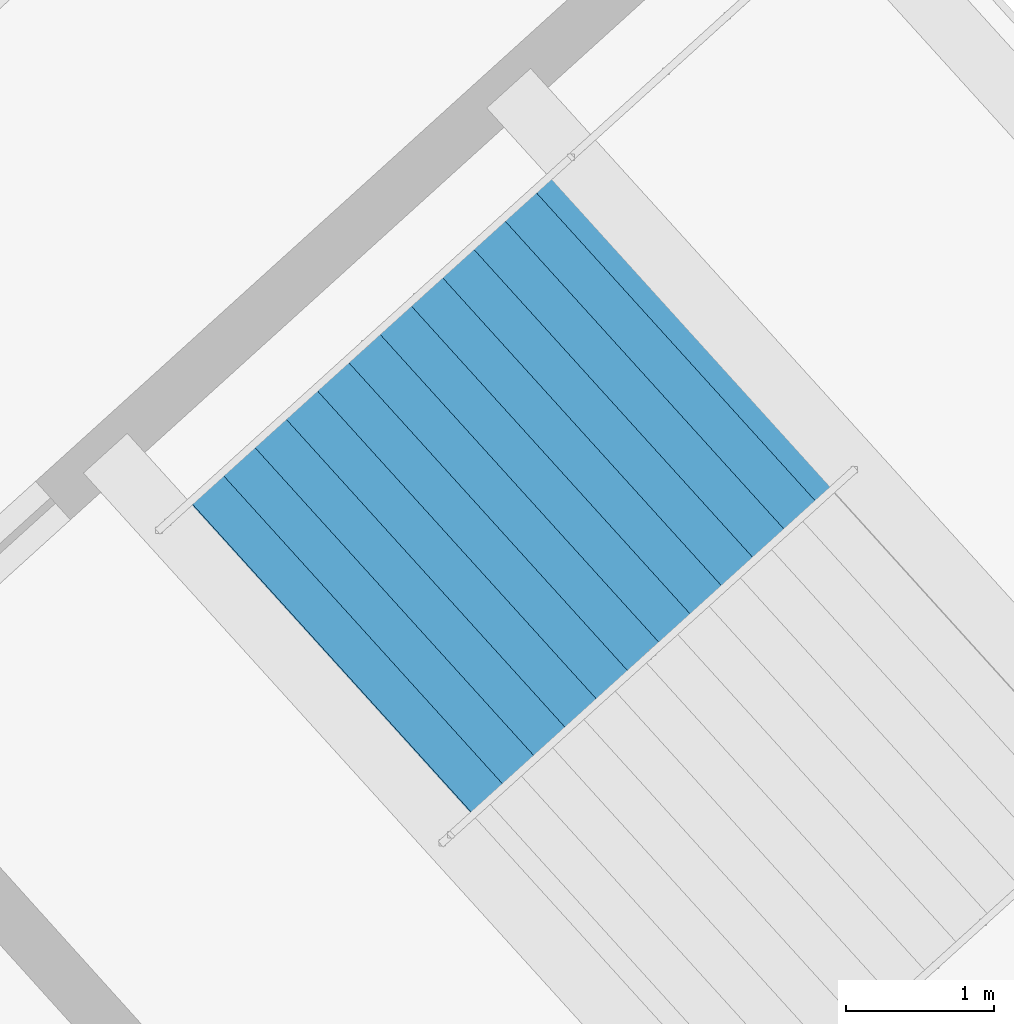
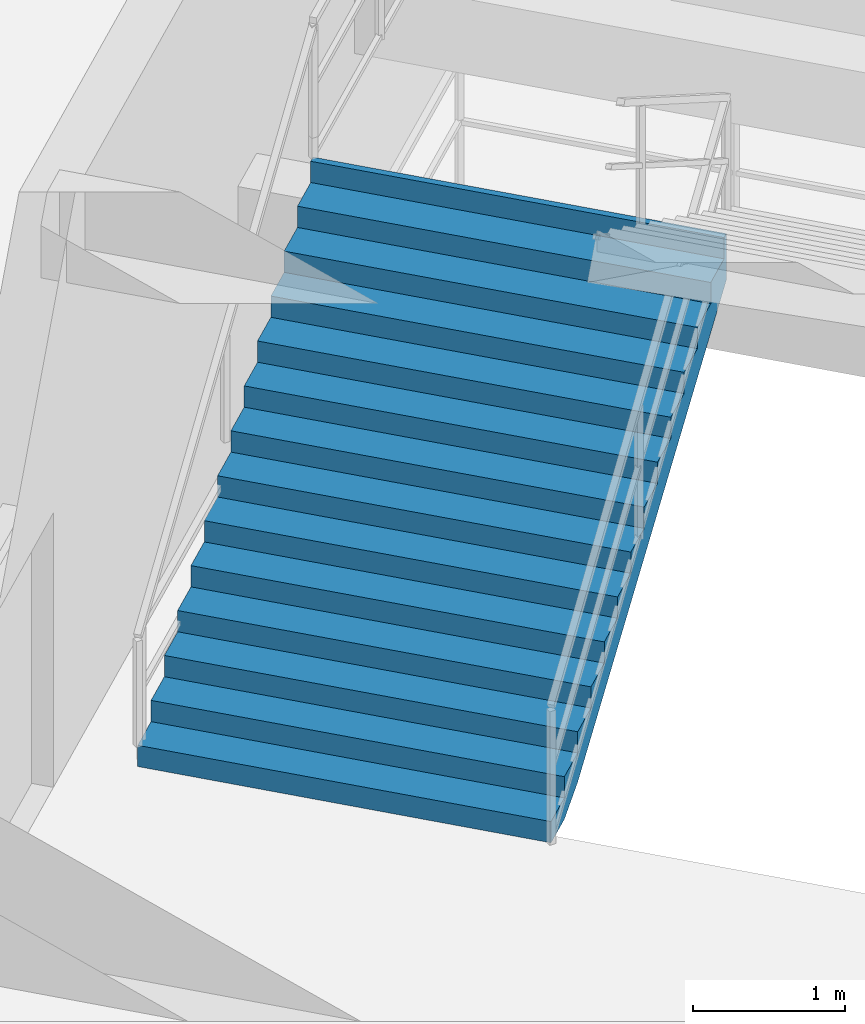
# One storey, part 149 of 171: 1 stair flight, 1 element without a shape of its own.
"""IFC4 building model written with IfcOpenShell, lengths in metres."""

from ifc_helpers import new_model, si_unit, direction, frame, origin, place, context, subcontext, project, spatial, polygons, material, type_object, element, aggregate, save


model = new_model("IFC4")

# Units and contexts
model_context = context("Model", 3, precision=1e-05, world=origin(), true_north=direction((0.0, 1.0)))
body_context = subcontext(model_context, "Body", "Model", "MODEL_VIEW")
ifc_project = project(units=[si_unit("LENGTHUNIT", "METRE"), si_unit("AREAUNIT", "SQUARE_METRE"), si_unit("VOLUMEUNIT", "CUBIC_METRE"), si_unit("PLANEANGLEUNIT", "RADIAN"), si_unit("MASSUNIT", "GRAM", prefix="KILO")], contexts=[model_context])

# Site, building, storey
site_placement = place(None, origin())
site = spatial("IfcSite", under=ifc_project, at=site_placement, CompositionType="ELEMENT")
building_placement = place(site_placement, origin())
building = spatial("IfcBuilding", under=site, at=building_placement, Name="Kazemori Nagisa Stadium", CompositionType="ELEMENT")
storey_placement = place(building_placement, frame((0.0, 0.0, 15.639892578125)))
storey = spatial("IfcBuildingStorey", under=building, at=storey_placement, Name="L03", CompositionType="ELEMENT", Elevation=15.639892578125)

# Stair, stair flight
ifc_material = material(Name="Concrete C36/45 (Fc36)", Category="concrete")
stair_type = type_object("IfcStairType", Name="Stair_CORE_28", PredefinedType="TWO_STRAIGHT_RUN_STAIR", material=ifc_material)
stair_placement = place(storey_placement, origin())
stair = element("IfcStair", 1, at=stair_placement, inside=storey, type_object=stair_type, Name="Exit stair ST04 L03", PredefinedType="TWO_STRAIGHT_RUN_STAIR")
stair_flight_type = type_object("IfcStairFlightType", Name="Flight_CORE_14", PredefinedType="STRAIGHT", material=ifc_material)
stair_flight_placement = place(storey_placement, frame((182.77587890625, 39.410400390625, 0.0), z_axis=(0.0, 0.0, 1.0), x_axis=(0.741324991793, 0.671146225903, 0.0)))
stair_flight = element("IfcStairFlight", 2, at=stair_flight_placement, type_object=stair_flight_type, Name="Exit stair ST04 L03 flight 1", NumberOfRisers=14, NumberOfTreads=13, PredefinedType="STRAIGHT", RiserHeight=0.17, TreadLength=0.285, context=body_context, shape_type="Tessellation", body=[
    polygons([(0.0, -1.425048828125, 0.0), (0.0, -1.425048828125, 0.169921875), (0.284912109375, -1.425048828125, 0.169921875), (0.284912109375, -1.425048828125, 0.340087890625), (0.570068359375, -1.425048828125, 0.340087890625), (0.570068359375, -1.425048828125, 0.510009765625), (0.85498046875, -1.425048828125, 0.510009765625), (0.85498046875, -1.425048828125, 0.679931640625), (1.139892578125, -1.425048828125, 0.679931640625), (1.139892578125, -1.425048828125, 0.85009765625), (1.425048828125, -1.425048828125, 0.85009765625), (1.425048828125, -1.425048828125, 1.02001953125), (1.7099609375, -1.425048828125, 1.02001953125), (1.7099609375, -1.425048828125, 1.18994140625), (1.9951171875, -1.425048828125, 1.18994140625), (1.9951171875, -1.425048828125, 1.360107421875), (2.280029296875, -1.425048828125, 1.360107421875), (2.280029296875, -1.425048828125, 1.530029296875), (2.56494140625, -1.425048828125, 1.530029296875), (2.56494140625, -1.425048828125, 1.699951171875), (2.85009765625, -1.425048828125, 1.699951171875), (2.85009765625, -1.425048828125, 1.8701171875), (3.135009765625, -1.425048828125, 1.8701171875), (3.135009765625, -1.425048828125, 2.0400390625), (3.419921875, -1.425048828125, 2.0400390625), (3.419921875, -1.425048828125, 2.2099609375), (3.705078125, -1.425048828125, 2.2099609375), (3.705078125, -1.425048828125, 2.3798828125), (3.7548828125, -1.425048828125, 2.3798828125), (3.7548828125, -1.425048828125, 2.007080078125), (3.705078125, -1.425048828125, 1.977294921875), (3.419921875, -1.425048828125, 1.80712890625), (3.135009765625, -1.425048828125, 1.63720703125), (2.85009765625, -1.425048828125, 1.46728515625), (2.56494140625, -1.425048828125, 1.297119140625), (2.280029296875, -1.425048828125, 1.127197265625), (1.9951171875, -1.425048828125, 0.957275390625), (1.7099609375, -1.425048828125, 0.787109375), (1.425048828125, -1.425048828125, 0.6171875), (1.139892578125, -1.425048828125, 0.447265625), (0.85498046875, -1.425048828125, 0.277099609375), (0.570068359375, -1.425048828125, 0.107177734375), (0.284912109375, -1.425048828125, 0.0), (0.0, -0.08544921875, 0.0), (0.0, -0.08544921875, 0.169921875), (0.284912109375, -0.08544921875, 0.169921875), (0.284912109375, -0.08544921875, 0.340087890625), (0.570068359375, -0.08544921875, 0.340087890625), (0.570068359375, -0.08544921875, 0.510009765625), (0.85498046875, -0.08544921875, 0.510009765625), (0.85498046875, -0.08544921875, 0.679931640625), (1.139892578125, -0.08544921875, 0.679931640625), (1.139892578125, -0.08544921875, 0.85009765625), (1.425048828125, -0.08544921875, 0.85009765625), (1.425048828125, -0.08544921875, 1.02001953125), (1.7099609375, -0.08544921875, 1.02001953125), (1.7099609375, -0.08544921875, 1.18994140625), (1.9951171875, -0.08544921875, 1.18994140625), (1.9951171875, -0.08544921875, 1.360107421875), (2.280029296875, -0.08544921875, 1.360107421875), (2.280029296875, -0.08544921875, 1.530029296875), (2.56494140625, -0.08544921875, 1.530029296875), (2.56494140625, -0.08544921875, 1.699951171875), (2.85009765625, -0.08544921875, 1.699951171875), (2.85009765625, -0.08544921875, 1.8701171875), (3.135009765625, -0.08544921875, 1.8701171875), (3.135009765625, -0.08544921875, 2.0400390625), (3.419921875, -0.08544921875, 2.0400390625), (3.419921875, -0.08544921875, 2.2099609375), (3.705078125, -0.08544921875, 2.2099609375), (3.705078125, -0.08544921875, 2.3798828125), (3.7548828125, -0.08544921875, 2.3798828125), (3.7548828125, -0.08544921875, 2.007080078125), (3.705078125, -0.08544921875, 1.977294921875), (3.419921875, -0.08544921875, 1.80712890625), (3.135009765625, -0.08544921875, 1.63720703125), (2.85009765625, -0.08544921875, 1.46728515625), (2.56494140625, -0.08544921875, 1.297119140625), (2.280029296875, -0.08544921875, 1.127197265625), (1.9951171875, -0.08544921875, 0.957275390625), (1.7099609375, -0.08544921875, 0.787109375), (1.425048828125, -0.08544921875, 0.6171875), (1.139892578125, -0.08544921875, 0.447265625), (0.85498046875, -0.08544921875, 0.277099609375), (0.570068359375, -0.08544921875, 0.107177734375), (0.284912109375, -0.08544921875, 0.0), (0.0, 0.0, 0.0), (0.0, 0.0, 0.169921875), (0.284912109375, 0.0, 0.169921875), (0.284912109375, 0.0, 0.340087890625), (0.570068359375, 0.0, 0.340087890625), (0.570068359375, 0.0, 0.510009765625), (0.85498046875, 0.0, 0.510009765625), (0.85498046875, 0.0, 0.679931640625), (1.139892578125, 0.0, 0.679931640625), (1.139892578125, 0.0, 0.85009765625), (1.425048828125, 0.0, 0.85009765625), (1.425048828125, 0.0, 1.02001953125), (1.7099609375, 0.0, 1.02001953125), (1.7099609375, 0.0, 1.18994140625), (1.9951171875, 0.0, 1.18994140625), (1.9951171875, 0.0, 1.360107421875), (2.280029296875, 0.0, 1.360107421875), (2.280029296875, 0.0, 1.530029296875), (2.56494140625, 0.0, 1.530029296875), (2.56494140625, 0.0, 1.699951171875), (2.85009765625, 0.0, 1.699951171875), (2.85009765625, 0.0, 1.8701171875), (3.135009765625, 0.0, 1.8701171875), (3.135009765625, 0.0, 2.0400390625), (3.419921875, 0.0, 2.0400390625), (3.419921875, 0.0, 2.2099609375), (3.705078125, 0.0, 2.2099609375), (3.705078125, 0.0, 2.3798828125), (3.7548828125, 0.0, 2.3798828125), (3.7548828125, 0.0, 2.007080078125), (3.705078125, 0.0, 1.977294921875), (3.419921875, 0.0, 1.80712890625), (3.135009765625, 0.0, 1.63720703125), (2.85009765625, 0.0, 1.46728515625), (2.56494140625, 0.0, 1.297119140625), (2.280029296875, 0.0, 1.127197265625), (1.9951171875, 0.0, 0.957275390625), (1.7099609375, 0.0, 0.787109375), (1.425048828125, 0.0, 0.6171875), (1.139892578125, 0.0, 0.447265625), (0.85498046875, 0.0, 0.277099609375), (0.570068359375, 0.0, 0.107177734375), (0.284912109375, 0.0, 0.0), (0.0, 0.08544921875, 0.0), (0.0, 0.08544921875, 0.169921875), (0.284912109375, 0.08544921875, 0.169921875), (0.284912109375, 0.08544921875, 0.340087890625), (0.570068359375, 0.08544921875, 0.340087890625), (0.570068359375, 0.08544921875, 0.510009765625), (0.85498046875, 0.08544921875, 0.510009765625), (0.85498046875, 0.08544921875, 0.679931640625), (1.139892578125, 0.08544921875, 0.679931640625), (1.139892578125, 0.08544921875, 0.85009765625), (1.425048828125, 0.08544921875, 0.85009765625), (1.425048828125, 0.08544921875, 1.02001953125), (1.7099609375, 0.08544921875, 1.02001953125), (1.7099609375, 0.08544921875, 1.18994140625), (1.9951171875, 0.08544921875, 1.18994140625), (1.9951171875, 0.08544921875, 1.360107421875), (2.280029296875, 0.08544921875, 1.360107421875), (2.280029296875, 0.08544921875, 1.530029296875), (2.56494140625, 0.08544921875, 1.530029296875), (2.56494140625, 0.08544921875, 1.699951171875), (2.85009765625, 0.08544921875, 1.699951171875), (2.85009765625, 0.08544921875, 1.8701171875), (3.135009765625, 0.08544921875, 1.8701171875), (3.135009765625, 0.08544921875, 2.0400390625), (3.419921875, 0.08544921875, 2.0400390625), (3.419921875, 0.08544921875, 2.2099609375), (3.705078125, 0.08544921875, 2.2099609375), (3.705078125, 0.08544921875, 2.3798828125), (3.7548828125, 0.08544921875, 2.3798828125), (3.7548828125, 0.08544921875, 2.007080078125), (3.705078125, 0.08544921875, 1.977294921875), (3.419921875, 0.08544921875, 1.80712890625), (3.135009765625, 0.08544921875, 1.63720703125), (2.85009765625, 0.08544921875, 1.46728515625), (2.56494140625, 0.08544921875, 1.297119140625), (2.280029296875, 0.08544921875, 1.127197265625), (1.9951171875, 0.08544921875, 0.957275390625), (1.7099609375, 0.08544921875, 0.787109375), (1.425048828125, 0.08544921875, 0.6171875), (1.139892578125, 0.08544921875, 0.447265625), (0.85498046875, 0.08544921875, 0.277099609375), (0.570068359375, 0.08544921875, 0.107177734375), (0.284912109375, 0.08544921875, 0.0), (0.0, 1.425048828125, 0.0), (0.0, 1.425048828125, 0.169921875), (0.284912109375, 1.425048828125, 0.169921875), (0.284912109375, 1.425048828125, 0.340087890625), (0.570068359375, 1.425048828125, 0.340087890625), (0.570068359375, 1.425048828125, 0.510009765625), (0.85498046875, 1.425048828125, 0.510009765625), (0.85498046875, 1.425048828125, 0.679931640625), (1.139892578125, 1.425048828125, 0.679931640625), (1.139892578125, 1.425048828125, 0.85009765625), (1.425048828125, 1.425048828125, 0.85009765625), (1.425048828125, 1.425048828125, 1.02001953125), (1.7099609375, 1.425048828125, 1.02001953125), (1.7099609375, 1.425048828125, 1.18994140625), (1.9951171875, 1.425048828125, 1.18994140625), (1.9951171875, 1.425048828125, 1.360107421875), (2.280029296875, 1.425048828125, 1.360107421875), (2.280029296875, 1.425048828125, 1.530029296875), (2.56494140625, 1.425048828125, 1.530029296875), (2.56494140625, 1.425048828125, 1.699951171875), (2.85009765625, 1.425048828125, 1.699951171875), (2.85009765625, 1.425048828125, 1.8701171875), (3.135009765625, 1.425048828125, 1.8701171875), (3.135009765625, 1.425048828125, 2.0400390625), (3.419921875, 1.425048828125, 2.0400390625), (3.419921875, 1.425048828125, 2.2099609375), (3.705078125, 1.425048828125, 2.2099609375), (3.705078125, 1.425048828125, 2.3798828125), (3.7548828125, 1.425048828125, 2.3798828125), (3.7548828125, 1.425048828125, 2.007080078125), (3.705078125, 1.425048828125, 1.977294921875), (3.419921875, 1.425048828125, 1.80712890625), (3.135009765625, 1.425048828125, 1.63720703125), (2.85009765625, 1.425048828125, 1.46728515625), (2.56494140625, 1.425048828125, 1.297119140625), (2.280029296875, 1.425048828125, 1.127197265625), (1.9951171875, 1.425048828125, 0.957275390625), (1.7099609375, 1.425048828125, 0.787109375), (1.425048828125, 1.425048828125, 0.6171875), (1.139892578125, 1.425048828125, 0.447265625), (0.85498046875, 1.425048828125, 0.277099609375), (0.570068359375, 1.425048828125, 0.107177734375), (0.284912109375, 1.425048828125, 0.0)], [[[1, 2, 45]], [[1, 45, 44]], [[2, 3, 46]], [[2, 46, 45]], [[3, 4, 47]], [[3, 47, 46]], [[4, 5, 48]], [[4, 48, 47]], [[5, 6, 49]], [[5, 49, 48]], [[6, 7, 50]], [[6, 50, 49]], [[7, 8, 51]], [[7, 51, 50]], [[8, 9, 52]], [[8, 52, 51]], [[9, 10, 53]], [[9, 53, 52]], [[10, 11, 54]], [[10, 54, 53]], [[11, 12, 55]], [[11, 55, 54]], [[12, 13, 56]], [[12, 56, 55]], [[13, 14, 57]], [[13, 57, 56]], [[14, 15, 58]], [[14, 58, 57]], [[15, 16, 59]], [[15, 59, 58]], [[16, 17, 60]], [[16, 60, 59]], [[17, 18, 61]], [[17, 61, 60]], [[18, 19, 62]], [[18, 62, 61]], [[19, 20, 63]], [[19, 63, 62]], [[20, 21, 64]], [[20, 64, 63]], [[21, 22, 65]], [[21, 65, 64]], [[22, 23, 66]], [[22, 66, 65]], [[23, 24, 67]], [[23, 67, 66]], [[24, 25, 68]], [[24, 68, 67]], [[25, 26, 69]], [[25, 69, 68]], [[26, 27, 70]], [[26, 70, 69]], [[27, 28, 71]], [[27, 71, 70]], [[28, 29, 72]], [[28, 72, 71]], [[29, 30, 73]], [[29, 73, 72]], [[30, 31, 74]], [[30, 74, 73]], [[31, 32, 75]], [[31, 75, 74]], [[32, 33, 76]], [[32, 76, 75]], [[33, 34, 77]], [[33, 77, 76]], [[34, 35, 78]], [[34, 78, 77]], [[35, 36, 79]], [[35, 79, 78]], [[36, 37, 80]], [[36, 80, 79]], [[37, 38, 81]], [[37, 81, 80]], [[38, 39, 82]], [[38, 82, 81]], [[39, 40, 83]], [[39, 83, 82]], [[40, 41, 84]], [[40, 84, 83]], [[41, 42, 85]], [[41, 85, 84]], [[42, 43, 86]], [[42, 86, 85]], [[43, 1, 44]], [[43, 44, 86]], [[44, 45, 88]], [[44, 88, 87]], [[45, 46, 89]], [[45, 89, 88]], [[46, 47, 90]], [[46, 90, 89]], [[47, 48, 91]], [[47, 91, 90]], [[48, 49, 92]], [[48, 92, 91]], [[49, 50, 93]], [[49, 93, 92]], [[50, 51, 94]], [[50, 94, 93]], [[51, 52, 95]], [[51, 95, 94]], [[52, 53, 96]], [[52, 96, 95]], [[53, 54, 97]], [[53, 97, 96]], [[54, 55, 98]], [[54, 98, 97]], [[55, 56, 99]], [[55, 99, 98]], [[56, 57, 100]], [[56, 100, 99]], [[57, 58, 101]], [[57, 101, 100]], [[58, 59, 102]], [[58, 102, 101]], [[59, 60, 103]], [[59, 103, 102]], [[60, 61, 104]], [[60, 104, 103]], [[61, 62, 105]], [[61, 105, 104]], [[62, 63, 106]], [[62, 106, 105]], [[63, 64, 107]], [[63, 107, 106]], [[64, 65, 108]], [[64, 108, 107]], [[65, 66, 109]], [[65, 109, 108]], [[66, 67, 110]], [[66, 110, 109]], [[67, 68, 111]], [[67, 111, 110]], [[68, 69, 112]], [[68, 112, 111]], [[69, 70, 113]], [[69, 113, 112]], [[70, 71, 114]], [[70, 114, 113]], [[71, 72, 115]], [[71, 115, 114]], [[72, 73, 116]], [[72, 116, 115]], [[73, 74, 117]], [[73, 117, 116]], [[74, 75, 118]], [[74, 118, 117]], [[75, 76, 119]], [[75, 119, 118]], [[76, 77, 120]], [[76, 120, 119]], [[77, 78, 121]], [[77, 121, 120]], [[78, 79, 122]], [[78, 122, 121]], [[79, 80, 123]], [[79, 123, 122]], [[80, 81, 124]], [[80, 124, 123]], [[81, 82, 125]], [[81, 125, 124]], [[82, 83, 126]], [[82, 126, 125]], [[83, 84, 127]], [[83, 127, 126]], [[84, 85, 128]], [[84, 128, 127]], [[85, 86, 129]], [[85, 129, 128]], [[86, 44, 87]], [[86, 87, 129]], [[87, 88, 131]], [[87, 131, 130]], [[88, 89, 132]], [[88, 132, 131]], [[89, 90, 133]], [[89, 133, 132]], [[90, 91, 134]], [[90, 134, 133]], [[91, 92, 135]], [[91, 135, 134]], [[92, 93, 136]], [[92, 136, 135]], [[93, 94, 137]], [[93, 137, 136]], [[94, 95, 138]], [[94, 138, 137]], [[95, 96, 139]], [[95, 139, 138]], [[96, 97, 140]], [[96, 140, 139]], [[97, 98, 141]], [[97, 141, 140]], [[98, 99, 142]], [[98, 142, 141]], [[99, 100, 143]], [[99, 143, 142]], [[100, 101, 144]], [[100, 144, 143]], [[101, 102, 145]], [[101, 145, 144]], [[102, 103, 146]], [[102, 146, 145]], [[103, 104, 147]], [[103, 147, 146]], [[104, 105, 148]], [[104, 148, 147]], [[105, 106, 149]], [[105, 149, 148]], [[106, 107, 150]], [[106, 150, 149]], [[107, 108, 151]], [[107, 151, 150]], [[108, 109, 152]], [[108, 152, 151]], [[109, 110, 153]], [[109, 153, 152]], [[110, 111, 154]], [[110, 154, 153]], [[111, 112, 155]], [[111, 155, 154]], [[112, 113, 156]], [[112, 156, 155]], [[113, 114, 157]], [[113, 157, 156]], [[114, 115, 158]], [[114, 158, 157]], [[115, 116, 159]], [[115, 159, 158]], [[116, 117, 160]], [[116, 160, 159]], [[117, 118, 161]], [[117, 161, 160]], [[118, 119, 162]], [[118, 162, 161]], [[119, 120, 163]], [[119, 163, 162]], [[120, 121, 164]], [[120, 164, 163]], [[121, 122, 165]], [[121, 165, 164]], [[122, 123, 166]], [[122, 166, 165]], [[123, 124, 167]], [[123, 167, 166]], [[124, 125, 168]], [[124, 168, 167]], [[125, 126, 169]], [[125, 169, 168]], [[126, 127, 170]], [[126, 170, 169]], [[127, 128, 171]], [[127, 171, 170]], [[128, 129, 172]], [[128, 172, 171]], [[129, 87, 130]], [[129, 130, 172]], [[130, 131, 174]], [[130, 174, 173]], [[131, 132, 175]], [[131, 175, 174]], [[132, 133, 176]], [[132, 176, 175]], [[133, 134, 177]], [[133, 177, 176]], [[134, 135, 178]], [[134, 178, 177]], [[135, 136, 179]], [[135, 179, 178]], [[136, 137, 180]], [[136, 180, 179]], [[137, 138, 181]], [[137, 181, 180]], [[138, 139, 182]], [[138, 182, 181]], [[139, 140, 183]], [[139, 183, 182]], [[140, 141, 184]], [[140, 184, 183]], [[141, 142, 185]], [[141, 185, 184]], [[142, 143, 186]], [[142, 186, 185]], [[143, 144, 187]], [[143, 187, 186]], [[144, 145, 188]], [[144, 188, 187]], [[145, 146, 189]], [[145, 189, 188]], [[146, 147, 190]], [[146, 190, 189]], [[147, 148, 191]], [[147, 191, 190]], [[148, 149, 192]], [[148, 192, 191]], [[149, 150, 193]], [[149, 193, 192]], [[150, 151, 194]], [[150, 194, 193]], [[151, 152, 195]], [[151, 195, 194]], [[152, 153, 196]], [[152, 196, 195]], [[153, 154, 197]], [[153, 197, 196]], [[154, 155, 198]], [[154, 198, 197]], [[155, 156, 199]], [[155, 199, 198]], [[156, 157, 200]], [[156, 200, 199]], [[157, 158, 201]], [[157, 201, 200]], [[158, 159, 202]], [[158, 202, 201]], [[159, 160, 203]], [[159, 203, 202]], [[160, 161, 204]], [[160, 204, 203]], [[161, 162, 205]], [[161, 205, 204]], [[162, 163, 206]], [[162, 206, 205]], [[163, 164, 207]], [[163, 207, 206]], [[164, 165, 208]], [[164, 208, 207]], [[165, 166, 209]], [[165, 209, 208]], [[166, 167, 210]], [[166, 210, 209]], [[167, 168, 211]], [[167, 211, 210]], [[168, 169, 212]], [[168, 212, 211]], [[169, 170, 213]], [[169, 213, 212]], [[170, 171, 214]], [[170, 214, 213]], [[171, 172, 215]], [[171, 215, 214]], [[172, 130, 173]], [[172, 173, 215]], [[3, 2, 1]], [[173, 174, 175]], [[43, 3, 1]], [[173, 175, 215]], [[42, 3, 43]], [[215, 175, 214]], [[5, 3, 42]], [[214, 175, 177]], [[5, 4, 3]], [[175, 176, 177]], [[41, 5, 42]], [[214, 177, 213]], [[7, 5, 41]], [[213, 177, 179]], [[7, 6, 5]], [[177, 178, 179]], [[40, 7, 41]], [[213, 179, 212]], [[9, 7, 40]], [[212, 179, 181]], [[9, 8, 7]], [[179, 180, 181]], [[39, 9, 40]], [[212, 181, 211]], [[11, 9, 39]], [[211, 181, 183]], [[11, 10, 9]], [[181, 182, 183]], [[38, 11, 39]], [[211, 183, 210]], [[13, 11, 38]], [[210, 183, 185]], [[13, 12, 11]], [[183, 184, 185]], [[37, 13, 38]], [[210, 185, 209]], [[15, 13, 37]], [[209, 185, 187]], [[15, 14, 13]], [[185, 186, 187]], [[36, 15, 37]], [[209, 187, 208]], [[17, 15, 36]], [[208, 187, 189]], [[17, 16, 15]], [[187, 188, 189]], [[35, 17, 36]], [[208, 189, 207]], [[19, 17, 35]], [[207, 189, 191]], [[19, 18, 17]], [[189, 190, 191]], [[34, 19, 35]], [[207, 191, 206]], [[21, 19, 34]], [[206, 191, 193]], [[21, 20, 19]], [[191, 192, 193]], [[33, 21, 34]], [[206, 193, 205]], [[23, 21, 33]], [[205, 193, 195]], [[23, 22, 21]], [[193, 194, 195]], [[32, 23, 33]], [[205, 195, 204]], [[25, 23, 32]], [[204, 195, 197]], [[25, 24, 23]], [[195, 196, 197]], [[31, 25, 32]], [[204, 197, 203]], [[27, 25, 31]], [[203, 197, 199]], [[27, 26, 25]], [[197, 198, 199]], [[30, 27, 31]], [[203, 199, 202]], [[29, 27, 30]], [[202, 199, 201]], [[29, 28, 27]], [[199, 200, 201]]], closed=True),
])
aggregate(stair, [stair_flight])

save(model, "model.ifc")
